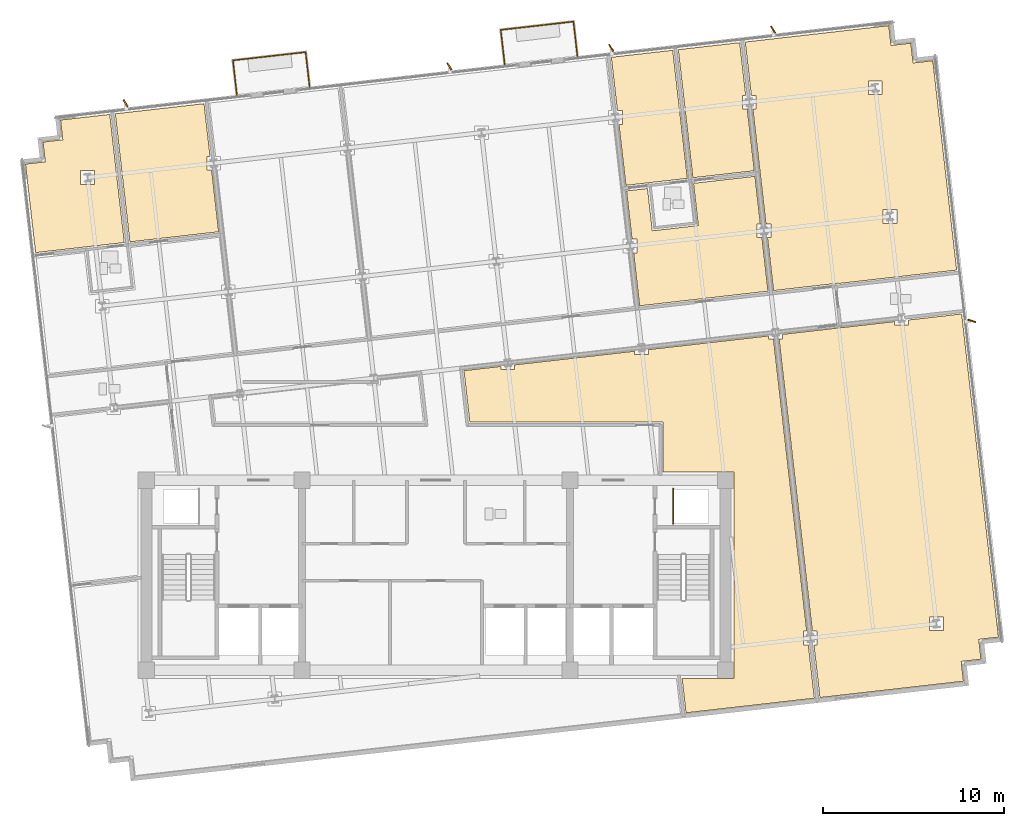
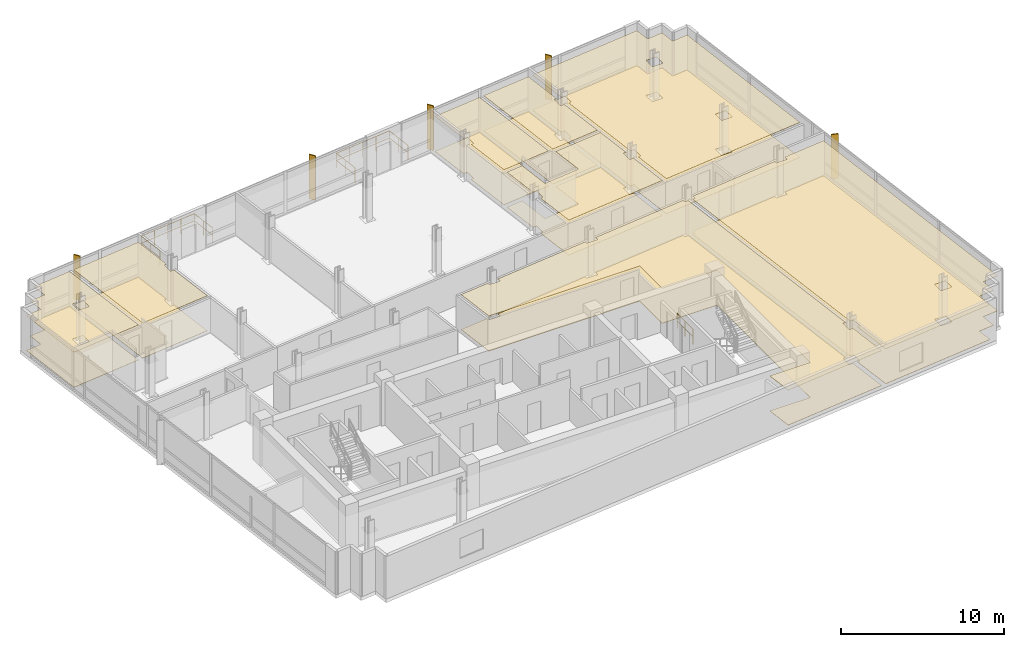
# One storey, part 14 of 15: 16 coverings, 7 railings, 5 shading devices.
"""IFC4 building model written with IfcOpenShell, lengths in metres."""

from ifc_helpers import new_model, si_unit, direction, frame, origin, origin_2d, place, context, subcontext, project, spatial, polyline, rectangle, circle, outline, extrude, material, layer, layer_set, type_object, element, save


model = new_model("IFC4")

# Units and contexts
model_context = context("Model", 3, precision=1e-05, world=origin(), true_north=direction((0.0, 1.0)))
body_context = subcontext(model_context, "Body", "Model", "MODEL_VIEW")
ifc_project = project(units=[si_unit("LENGTHUNIT", "METRE"), si_unit("AREAUNIT", "SQUARE_METRE"), si_unit("VOLUMEUNIT", "CUBIC_METRE"), si_unit("PLANEANGLEUNIT", "RADIAN"), si_unit("MASSUNIT", "GRAM", prefix="KILO")], contexts=[model_context])

# Site, building, storey
site_placement = place(None, origin())
site = spatial("IfcSite", under=ifc_project, at=site_placement, CompositionType="ELEMENT")
building_placement = place(site_placement, origin())
building = spatial("IfcBuilding", under=site, at=building_placement, Name="Solmavex Isthmus Hotel", CompositionType="ELEMENT")
storey_placement = place(building_placement, frame((0.0, 0.0, 229.64990234375)))
storey = spatial("IfcBuildingStorey", under=building, at=storey_placement, Name="L62", CompositionType="ELEMENT", Elevation=229.64990234375)

# Coverings
ifc_material_1 = material(Name="Gypsum plasterboard lining", Category="gypsum")
ifc_layer_1 = layer(ifc_material_1, 0.030029296875)
ifc_layer_set_1 = layer_set([ifc_layer_1], Name="Gypsum plasterboard lining")
covering_type_1 = type_object("IfcCoveringType", Name="COV-CEIL-GYP", PredefinedType="CEILING", material=ifc_layer_set_1)
covering_1_placement = place(storey_placement, frame((0.0, 0.0, 2.6201171875)))
element("IfcCovering", 1, at=covering_1_placement, inside=storey, type_object=covering_type_1, Name="Suspended Acoustic Ceiling L62-TB01", PredefinedType="CEILING", context=body_context, shape_type="SweptSolid", body=[
    extrude(outline(polyline([(-22.677001953125, 14.966552734375), (-22.58349609375, 14.146728515625), (-22.11962890625, 10.076171875), (-17.217529296875, 10.634521484375), (-18.023681640625, 17.7109375), (-19.92041015625, 17.49462890625), (-20.740234375, 17.4013671875), (-20.615478515625, 16.308349609375), (-21.70849609375, 16.183837890625), (-21.583984375, 15.091064453125), (-22.677001953125, 14.966552734375)]), holes=[polyline([(-19.6259765625, 13.844970703125), (-19.6259765625, 14.60498046875), (-18.865966796875, 14.60498046875), (-18.865966796875, 13.844970703125), (-19.6259765625, 13.844970703125)])]), origin(), (0.0, 0.0, 1.0), 0.030029296875),
])
covering_2_placement = place(storey_placement, frame((0.0, 0.0, 2.6201171875)))
element("IfcCovering", 2, at=covering_2_placement, inside=storey, type_object=covering_type_1, Name="Suspended Acoustic Ceiling L62-TL01", PredefinedType="CEILING", context=body_context, shape_type="SweptSolid", body=[
    extrude(outline(polyline([(-12.395751953125, 14.638427734375), (-12.6630859375, 14.638427734375), (-12.6630859375, 15.3984375), (-12.482421875, 15.3984375), (-12.8134765625, 18.304443359375), (-17.715576171875, 17.745849609375), (-16.909423828125, 10.669677734375), (-12.007080078125, 11.228271484375), (-12.395751953125, 14.638427734375)])), origin(), (0.0, 0.0, 1.0), 0.030029296875),
])
covering_3_placement = place(storey_placement, frame((0.0, 0.0, 2.6201171875)))
element("IfcCovering", 3, at=covering_3_placement, inside=storey, type_object=covering_type_1, Name="Suspended Acoustic Ceiling L62-ST04-FY", PredefinedType="CEILING", context=body_context, shape_type="SweptSolid", body=[
    extrude(outline(polyline([(11.685791015625, 13.61572265625), (10.5302734375, 13.484130859375), (10.833740234375, 10.821044921875), (11.10107421875, 10.821044921875), (11.10107421875, 10.06103515625), (10.92041015625, 10.06103515625), (11.25341796875, 7.13720703125), (18.343505859375, 7.945068359375), (18.006591796875, 10.904052734375), (17.7392578125, 10.904052734375), (17.7392578125, 11.6640625), (17.919921875, 11.6640625), (17.620361328125, 14.2919921875), (14.2294921875, 13.905517578125), (14.495361328125, 11.570556640625), (11.951904296875, 11.28076171875), (11.685791015625, 13.61572265625)])), origin(), (0.0, 0.0, 1.0), 0.030029296875),
])
covering_4_placement = place(storey_placement, frame((0.0, 0.0, 2.6201171875)))
element("IfcCovering", 4, at=covering_4_placement, inside=storey, type_object=covering_type_1, Name="Suspended Acoustic Ceiling L62-TB04", PredefinedType="CEILING", context=body_context, shape_type="SweptSolid", body=[
    extrude(outline(polyline([(10.024169921875, 17.92724609375), (10.29150390625, 17.92724609375), (10.29150390625, 17.167236328125), (10.110595703125, 17.167236328125), (10.495361328125, 13.7919921875), (13.88623046875, 14.178466796875), (13.080078125, 21.254638671875), (9.68896484375, 20.868408203125), (10.024169921875, 17.92724609375)])), origin(), (0.0, 0.0, 1.0), 0.030029296875),
])
covering_5_placement = place(storey_placement, frame((0.0, 0.0, 2.6201171875)))
element("IfcCovering", 5, at=covering_5_placement, inside=storey, type_object=covering_type_1, Name="Suspended Acoustic Ceiling L62-TL04", PredefinedType="CEILING", context=body_context, shape_type="SweptSolid", body=[
    extrude(outline(polyline([(17.19677734375, 18.010009765625), (16.929443359375, 18.010009765625), (16.929443359375, 18.77001953125), (17.1103515625, 18.77001953125), (16.779052734375, 21.676025390625), (13.38818359375, 21.289794921875), (14.1943359375, 14.213623046875), (17.58544921875, 14.599853515625), (17.19677734375, 18.010009765625)])), origin(), (0.0, 0.0, 1.0), 0.030029296875),
])
covering_6_placement = place(storey_placement, frame((0.0, 0.0, 2.6201171875)))
element("IfcCovering", 6, at=covering_6_placement, inside=storey, type_object=covering_type_1, Name="Suspended Acoustic Ceiling L62-RM05", PredefinedType="CEILING", context=body_context, shape_type="SweptSolid", body=[
    extrude(outline(polyline([(18.23193359375, 11.6640625), (18.499267578125, 11.6640625), (18.499267578125, 10.904052734375), (18.318359375, 10.904052734375), (18.651611328125, 7.97998046875), (22.228515625, 8.3876953125), (22.230712890625, 8.36767578125), (28.766357421875, 9.1123046875), (27.542236328125, 19.85791015625), (27.44873046875, 20.677490234375), (26.35595703125, 20.552978515625), (26.231201171875, 21.64599609375), (25.138427734375, 21.521484375), (25.013916015625, 22.6142578125), (24.194091796875, 22.52099609375), (17.087158203125, 21.711181640625), (17.42236328125, 18.77001953125), (17.689453125, 18.77001953125), (17.689453125, 18.010009765625), (17.5087890625, 18.010009765625), (18.17626953125, 12.15185546875), (18.23193359375, 11.6640625)]), holes=[polyline([(24.7021484375, 11.697265625), (24.7021484375, 12.457275390625), (25.462158203125, 12.457275390625), (25.462158203125, 11.697265625), (24.7021484375, 11.697265625)]), polyline([(23.892578125, 19.5634765625), (24.652587890625, 19.5634765625), (24.652587890625, 18.803466796875), (23.892578125, 18.803466796875), (23.892578125, 19.5634765625)])]), origin(), (0.0, 0.0, 1.0), 0.030029296875),
])
covering_7_placement = place(storey_placement, frame((0.0, 0.0, 2.6201171875)))
element("IfcCovering", 7, at=covering_7_placement, inside=storey, type_object=covering_type_1, Name="Suspended Acoustic Ceiling L62-FL11", PredefinedType="CEILING", context=body_context, shape_type="SweptSolid", body=[
    extrude(outline(polyline([(4.34228515625, 3.873779296875), (4.34228515625, 3.6064453125), (3.582275390625, 3.6064453125), (3.582275390625, 3.787109375), (1.547607421875, 3.555419921875), (1.872314453125, 0.705078125), (12.554931640625, 0.705078125), (12.554931640625, -2.044921875), (16.455078125, -2.044921875), (16.455078125, -13.455078125), (13.599609375, -13.455078125), (13.815185546875, -15.347412109375), (20.905517578125, -14.53955078125), (20.5703125, -11.598388671875), (20.302978515625, -11.598388671875), (20.302978515625, -10.83837890625), (20.483642578125, -10.83837890625), (18.645751953125, 5.292236328125), (18.378662109375, 5.292236328125), (18.378662109375, 5.472900390625), (11.740478515625, 4.716796875), (11.740478515625, 4.449462890625), (10.98046875, 4.449462890625), (10.98046875, 4.630126953125), (4.34228515625, 3.873779296875)])), origin(), (0.0, 0.0, 1.0), 0.030029296875),
])
covering_8_placement = place(storey_placement, frame((0.0, 0.0, 2.6201171875)))
element("IfcCovering", 8, at=covering_8_placement, inside=storey, type_object=covering_type_1, Name="Suspended Acoustic Ceiling L62-FL12", PredefinedType="CEILING", context=body_context, shape_type="SweptSolid", body=[
    extrude(outline(polyline([(20.795654296875, -10.83837890625), (21.06298828125, -10.83837890625), (21.06298828125, -11.598388671875), (20.88232421875, -11.598388671875), (21.21337890625, -14.50439453125), (28.3203125, -13.69482421875), (29.14013671875, -13.601318359375), (29.015625, -12.50830078125), (30.108642578125, -12.3837890625), (29.98388671875, -11.291015625), (31.076904296875, -11.16650390625), (30.983642578125, -10.3466796875), (29.042724609375, 6.68798828125), (26.1015625, 6.35302734375), (26.1015625, 6.085693359375), (25.341552734375, 6.085693359375), (25.341552734375, 6.266357421875), (19.138427734375, 5.5595703125), (19.138427734375, 5.292236328125), (18.957763671875, 5.292236328125), (20.795654296875, -10.83837890625)]), holes=[polyline([(27.265869140625, -10.80517578125), (27.265869140625, -10.045166015625), (28.02587890625, -10.045166015625), (28.02587890625, -10.80517578125), (27.265869140625, -10.80517578125)])]), origin(), (0.0, 0.0, 1.0), 0.030029296875),
])
ifc_material_2 = material(Name="Travertine natural stone", Category="masonry")
ifc_layer_2 = layer(ifc_material_2, 0.02490234375)
ifc_layer_set_2 = layer_set([ifc_layer_2], Name="Travertine natural stone")
covering_type_2 = type_object("IfcCoveringType", Name="COV-FLOR-STN", PredefinedType="FLOORING", material=ifc_layer_set_2)
covering_9_placement = place(storey_placement, origin())
element("IfcCovering", 9, at=covering_9_placement, inside=storey, type_object=covering_type_2, Name="Stone and Timber Floor Finish L62-TB01", PredefinedType="FLOORING", context=body_context, shape_type="SweptSolid", body=[
    extrude(outline(polyline([(-22.677001953125, 14.966552734375), (-22.58349609375, 14.146728515625), (-22.11962890625, 10.076171875), (-17.217529296875, 10.634521484375), (-18.023681640625, 17.7109375), (-19.92041015625, 17.49462890625), (-20.740234375, 17.4013671875), (-20.615478515625, 16.308349609375), (-21.70849609375, 16.183837890625), (-21.583984375, 15.091064453125), (-22.677001953125, 14.966552734375)]), holes=[polyline([(-19.6259765625, 13.844970703125), (-19.6259765625, 14.60498046875), (-18.865966796875, 14.60498046875), (-18.865966796875, 13.844970703125), (-19.6259765625, 13.844970703125)])]), origin(), (0.0, 0.0, 1.0), 0.025146484375),
])
covering_10_placement = place(storey_placement, origin())
element("IfcCovering", 10, at=covering_10_placement, inside=storey, type_object=covering_type_2, Name="Stone and Timber Floor Finish L62-TL01", PredefinedType="FLOORING", context=body_context, shape_type="SweptSolid", body=[
    extrude(outline(polyline([(-12.395751953125, 14.638427734375), (-12.6630859375, 14.638427734375), (-12.6630859375, 15.3984375), (-12.482421875, 15.3984375), (-12.8134765625, 18.304443359375), (-17.715576171875, 17.745849609375), (-16.909423828125, 10.669677734375), (-12.007080078125, 11.228271484375), (-12.395751953125, 14.638427734375)])), origin(), (0.0, 0.0, 1.0), 0.025146484375),
])
covering_11_placement = place(storey_placement, origin())
element("IfcCovering", 11, at=covering_11_placement, inside=storey, type_object=covering_type_2, Name="Stone and Timber Floor Finish L62-ST04-FY", PredefinedType="FLOORING", context=body_context, shape_type="SweptSolid", body=[
    extrude(outline(polyline([(11.685791015625, 13.61572265625), (10.5302734375, 13.484130859375), (10.833740234375, 10.821044921875), (11.10107421875, 10.821044921875), (11.10107421875, 10.06103515625), (10.92041015625, 10.06103515625), (11.25341796875, 7.13720703125), (18.343505859375, 7.945068359375), (18.006591796875, 10.904052734375), (17.7392578125, 10.904052734375), (17.7392578125, 11.6640625), (17.919921875, 11.6640625), (17.620361328125, 14.2919921875), (14.2294921875, 13.905517578125), (14.495361328125, 11.570556640625), (11.951904296875, 11.28076171875), (11.685791015625, 13.61572265625)])), origin(), (0.0, 0.0, 1.0), 0.025146484375),
])
covering_12_placement = place(storey_placement, origin())
element("IfcCovering", 12, at=covering_12_placement, inside=storey, type_object=covering_type_2, Name="Stone and Timber Floor Finish L62-TB04", PredefinedType="FLOORING", context=body_context, shape_type="SweptSolid", body=[
    extrude(outline(polyline([(10.024169921875, 17.92724609375), (10.29150390625, 17.92724609375), (10.29150390625, 17.167236328125), (10.110595703125, 17.167236328125), (10.495361328125, 13.7919921875), (13.88623046875, 14.178466796875), (13.080078125, 21.254638671875), (9.68896484375, 20.868408203125), (10.024169921875, 17.92724609375)])), origin(), (0.0, 0.0, 1.0), 0.025146484375),
])
covering_13_placement = place(storey_placement, origin())
element("IfcCovering", 13, at=covering_13_placement, inside=storey, type_object=covering_type_2, Name="Stone and Timber Floor Finish L62-TL04", PredefinedType="FLOORING", context=body_context, shape_type="SweptSolid", body=[
    extrude(outline(polyline([(17.19677734375, 18.010009765625), (16.929443359375, 18.010009765625), (16.929443359375, 18.77001953125), (17.1103515625, 18.77001953125), (16.779052734375, 21.676025390625), (13.38818359375, 21.289794921875), (14.1943359375, 14.213623046875), (17.58544921875, 14.599853515625), (17.19677734375, 18.010009765625)])), origin(), (0.0, 0.0, 1.0), 0.025146484375),
])
covering_14_placement = place(storey_placement, origin())
element("IfcCovering", 14, at=covering_14_placement, inside=storey, type_object=covering_type_2, Name="Stone and Timber Floor Finish L62-RM05", PredefinedType="FLOORING", context=body_context, shape_type="SweptSolid", body=[
    extrude(outline(polyline([(18.23193359375, 11.6640625), (18.499267578125, 11.6640625), (18.499267578125, 10.904052734375), (18.318359375, 10.904052734375), (18.651611328125, 7.97998046875), (22.228515625, 8.3876953125), (22.230712890625, 8.36767578125), (28.766357421875, 9.1123046875), (27.542236328125, 19.85791015625), (27.44873046875, 20.677490234375), (26.35595703125, 20.552978515625), (26.231201171875, 21.64599609375), (25.138427734375, 21.521484375), (25.013916015625, 22.6142578125), (24.194091796875, 22.52099609375), (17.087158203125, 21.711181640625), (17.42236328125, 18.77001953125), (17.689453125, 18.77001953125), (17.689453125, 18.010009765625), (17.5087890625, 18.010009765625), (18.17626953125, 12.15185546875), (18.23193359375, 11.6640625)]), holes=[polyline([(24.7021484375, 11.697265625), (24.7021484375, 12.457275390625), (25.462158203125, 12.457275390625), (25.462158203125, 11.697265625), (24.7021484375, 11.697265625)]), polyline([(23.892578125, 19.5634765625), (24.652587890625, 19.5634765625), (24.652587890625, 18.803466796875), (23.892578125, 18.803466796875), (23.892578125, 19.5634765625)])]), origin(), (0.0, 0.0, 1.0), 0.025146484375),
])
covering_15_placement = place(storey_placement, origin())
element("IfcCovering", 15, at=covering_15_placement, inside=storey, type_object=covering_type_2, Name="Stone and Timber Floor Finish L62-FL11", PredefinedType="FLOORING", context=body_context, shape_type="SweptSolid", body=[
    extrude(outline(polyline([(4.34228515625, 3.873779296875), (4.34228515625, 3.6064453125), (3.582275390625, 3.6064453125), (3.582275390625, 3.787109375), (1.547607421875, 3.555419921875), (1.872314453125, 0.705078125), (12.554931640625, 0.705078125), (12.554931640625, -2.044921875), (16.455078125, -2.044921875), (16.455078125, -13.455078125), (13.599609375, -13.455078125), (13.815185546875, -15.347412109375), (20.905517578125, -14.53955078125), (20.5703125, -11.598388671875), (20.302978515625, -11.598388671875), (20.302978515625, -10.83837890625), (20.483642578125, -10.83837890625), (18.645751953125, 5.292236328125), (18.378662109375, 5.292236328125), (18.378662109375, 5.472900390625), (11.740478515625, 4.716796875), (11.740478515625, 4.449462890625), (10.98046875, 4.449462890625), (10.98046875, 4.630126953125), (4.34228515625, 3.873779296875)])), origin(), (0.0, 0.0, 1.0), 0.025146484375),
])
covering_16_placement = place(storey_placement, origin())
element("IfcCovering", 16, at=covering_16_placement, inside=storey, type_object=covering_type_2, Name="Stone and Timber Floor Finish L62-FL12", PredefinedType="FLOORING", context=body_context, shape_type="SweptSolid", body=[
    extrude(outline(polyline([(20.795654296875, -10.83837890625), (21.06298828125, -10.83837890625), (21.06298828125, -11.598388671875), (20.88232421875, -11.598388671875), (21.21337890625, -14.50439453125), (28.3203125, -13.69482421875), (29.14013671875, -13.601318359375), (29.015625, -12.50830078125), (30.108642578125, -12.3837890625), (29.98388671875, -11.291015625), (31.076904296875, -11.16650390625), (30.983642578125, -10.3466796875), (29.042724609375, 6.68798828125), (26.1015625, 6.35302734375), (26.1015625, 6.085693359375), (25.341552734375, 6.085693359375), (25.341552734375, 6.266357421875), (19.138427734375, 5.5595703125), (19.138427734375, 5.292236328125), (18.957763671875, 5.292236328125), (20.795654296875, -10.83837890625)]), holes=[polyline([(27.265869140625, -10.80517578125), (27.265869140625, -10.045166015625), (28.02587890625, -10.045166015625), (28.02587890625, -10.80517578125), (27.265869140625, -10.80517578125)])]), origin(), (0.0, 0.0, 1.0), 0.025146484375),
])

# Railings
ifc_material_3 = material(Name="Clear low-E laminated glass", Category="glass")
ifc_layer_3 = layer(ifc_material_3, 0.080078125)
ifc_layer_set_3 = layer_set([ifc_layer_3], Name="Clear low-E laminated glass")
railing_type_1 = type_object("IfcRailingType", Name="RAIL-ATRIUM-1120", PredefinedType="BALUSTRADE", material=ifc_layer_set_3)
railing_1_placement = place(storey_placement, frame((13.10009765625, -4.89990234375, 0.0)))
element("IfcRailing", 17, at=railing_1_placement, inside=storey, type_object=railing_type_1, Name="Guardrail Balustrade L62-RSE-01", PredefinedType="BALUSTRADE", context=body_context, shape_type="SweptSolid", body=[
    extrude(circle(Radius=0.02392578125, at=origin_2d()), frame((0.0, 0.0, 1.1259765625), z_axis=(0.0, 1.0, 0.0), x_axis=(-1.0, 0.0, 0.0)), (0.0, 0.0, 1.0), 1.949951171875),
    extrude(circle(Radius=0.02392578125, at=origin_2d()), frame((0.0, 0.0, 0.574951171875), z_axis=(0.0, 1.0, 0.0), x_axis=(-1.0, 0.0, 0.0)), (0.0, 0.0, 1.0), 1.949951171875),
    extrude(circle(Radius=0.02099609375, at=origin_2d()), origin(), (0.0, 0.0, 1.0), 1.101806640625),
    extrude(circle(Radius=0.02099609375, at=origin_2d()), frame((0.0, 0.97509765625, 0.0)), (0.0, 0.0, 1.0), 1.101806640625),
    extrude(circle(Radius=0.02099609375, at=origin_2d()), frame((0.0, 1.949951171875, 0.0)), (0.0, 0.0, 1.0), 1.101806640625),
])
ifc_layer_4 = layer(ifc_material_3, 0.070068359375)
ifc_layer_set_4 = layer_set([ifc_layer_4], Name="Clear low-E laminated glass")
railing_type_2 = type_object("IfcRailingType", Name="RAIL-GUARD-1100", PredefinedType="BALUSTRADE", material=ifc_layer_set_4)
railing_2_placement = place(storey_placement, frame((-10.99853515625, 18.7880859375, 0.0)))
element("IfcRailing", 18, at=railing_2_placement, inside=storey, type_object=railing_type_2, Name="Guardrail Balustrade L62-BAL1-01", PredefinedType="BALUSTRADE", context=body_context, shape_type="SweptSolid", body=[
    extrude(circle(Radius=0.02392578125, at=origin_2d()), frame((0.0, 0.0, 1.09619140625), z_axis=(-0.113166454875, 0.993576043135, 0.0), x_axis=(-0.993576043135, -0.113166454875, 0.0)), (0.0, 0.0, 1.0), 1.920166015625),
    extrude(circle(Radius=0.02392578125, at=origin_2d()), frame((0.0, 0.0, 0.56005859375), z_axis=(-0.113166454875, 0.993576043135, 0.0), x_axis=(-0.993576043135, -0.113166454875, 0.0)), (0.0, 0.0, 1.0), 1.920166015625),
    extrude(circle(Radius=0.02099609375, at=origin_2d()), origin(), (0.0, 0.0, 1.0), 1.072021484375),
    extrude(circle(Radius=0.02099609375, at=origin_2d()), frame((-0.108642578125, 0.953857421875, 0.0)), (0.0, 0.0, 1.0), 1.072021484375),
    extrude(circle(Radius=0.02099609375, at=origin_2d()), frame((-0.21728515625, 1.90771484375, 0.0)), (0.0, 0.0, 1.0), 1.072021484375),
])
railing_3_placement = place(storey_placement, frame((-11.2158203125, 20.69580078125, 0.0)))
element("IfcRailing", 19, at=railing_3_placement, inside=storey, type_object=railing_type_2, Name="Guardrail Balustrade L62-BAL1-02", PredefinedType="BALUSTRADE", context=body_context, shape_type="SweptSolid", body=[
    extrude(circle(Radius=0.02392578125, at=origin_2d()), frame((0.0, 0.0, 1.09619140625), z_axis=(0.993573319275, 0.113190367192, 0.0), x_axis=(-0.113190367192, 0.993573319275, 0.0)), (0.0, 0.0, 1.0), 4.039794921875),
    extrude(circle(Radius=0.02392578125, at=origin_2d()), frame((0.0, 0.0, 0.56005859375), z_axis=(0.993573319275, 0.113190367192, 0.0), x_axis=(-0.113190367192, 0.993573319275, 0.0)), (0.0, 0.0, 1.0), 4.039794921875),
    extrude(circle(Radius=0.02099609375, at=origin_2d()), origin(), (0.0, 0.0, 1.0), 1.072021484375),
    extrude(circle(Radius=0.02099609375, at=origin_2d()), frame((1.00341796875, 0.1142578125, 0.0)), (0.0, 0.0, 1.0), 1.072021484375),
    extrude(circle(Radius=0.02099609375, at=origin_2d()), frame((2.0068359375, 0.228515625, 0.0)), (0.0, 0.0, 1.0), 1.072021484375),
    extrude(circle(Radius=0.02099609375, at=origin_2d()), frame((3.010498046875, 0.343017578125, 0.0)), (0.0, 0.0, 1.0), 1.072021484375),
    extrude(circle(Radius=0.02099609375, at=origin_2d()), frame((4.013916015625, 0.457275390625, 0.0)), (0.0, 0.0, 1.0), 1.072021484375),
])
railing_4_placement = place(storey_placement, frame((-7.201904296875, 21.153076171875, 0.0)))
element("IfcRailing", 20, at=railing_4_placement, inside=storey, type_object=railing_type_2, Name="Guardrail Balustrade L62-BAL1-03", PredefinedType="BALUSTRADE", context=body_context, shape_type="SweptSolid", body=[
    extrude(circle(Radius=0.02392578125, at=origin_2d()), frame((0.0, 0.0, 1.09619140625), z_axis=(0.113291977077, -0.993561738359, 0.0), x_axis=(0.993561738359, 0.113291977077, 0.0)), (0.0, 0.0, 1.0), 1.920166015625),
    extrude(circle(Radius=0.02392578125, at=origin_2d()), frame((0.0, 0.0, 0.56005859375), z_axis=(0.113291977077, -0.993561738359, 0.0), x_axis=(0.993561738359, 0.113291977077, 0.0)), (0.0, 0.0, 1.0), 1.920166015625),
    extrude(circle(Radius=0.02099609375, at=origin_2d()), origin(), (0.0, 0.0, 1.0), 1.072021484375),
    extrude(circle(Radius=0.02099609375, at=origin_2d()), frame((0.10888671875, -0.953857421875, 0.0)), (0.0, 0.0, 1.0), 1.072021484375),
    extrude(circle(Radius=0.02099609375, at=origin_2d()), frame((0.217529296875, -1.90771484375, 0.0)), (0.0, 0.0, 1.0), 1.072021484375),
])
railing_5_placement = place(storey_placement, frame((3.7978515625, 20.473876953125, 0.0)))
element("IfcRailing", 21, at=railing_5_placement, inside=storey, type_object=railing_type_2, Name="Guardrail Balustrade L62-BAL2-01", PredefinedType="BALUSTRADE", context=body_context, shape_type="SweptSolid", body=[
    extrude(circle(Radius=0.02392578125, at=origin_2d()), frame((0.0, 0.0, 1.09619140625), z_axis=(-0.113291977077, 0.993561738359, 0.0), x_axis=(-0.993561738359, -0.113291977077, 0.0)), (0.0, 0.0, 1.0), 1.920166015625),
    extrude(circle(Radius=0.02392578125, at=origin_2d()), frame((0.0, 0.0, 0.56005859375), z_axis=(-0.113291977077, 0.993561738359, 0.0), x_axis=(-0.993561738359, -0.113291977077, 0.0)), (0.0, 0.0, 1.0), 1.920166015625),
    extrude(circle(Radius=0.02099609375, at=origin_2d()), origin(), (0.0, 0.0, 1.0), 1.072021484375),
    extrude(circle(Radius=0.02099609375, at=origin_2d()), frame((-0.10888671875, 0.953857421875, 0.0)), (0.0, 0.0, 1.0), 1.072021484375),
    extrude(circle(Radius=0.02099609375, at=origin_2d()), frame((-0.217529296875, 1.90771484375, 0.0)), (0.0, 0.0, 1.0), 1.072021484375),
])
railing_6_placement = place(storey_placement, frame((3.580322265625, 22.381591796875, 0.0)))
element("IfcRailing", 22, at=railing_6_placement, inside=storey, type_object=railing_type_2, Name="Guardrail Balustrade L62-BAL2-02", PredefinedType="BALUSTRADE", context=body_context, shape_type="SweptSolid", body=[
    extrude(circle(Radius=0.02392578125, at=origin_2d()), frame((0.0, 0.0, 1.09619140625), z_axis=(0.993574093472, 0.113183571164, 0.0), x_axis=(-0.113183571164, 0.993574093472, 0.0)), (0.0, 0.0, 1.0), 4.0400390625),
    extrude(circle(Radius=0.02392578125, at=origin_2d()), frame((0.0, 0.0, 0.56005859375), z_axis=(0.993574093472, 0.113183571164, 0.0), x_axis=(-0.113183571164, 0.993574093472, 0.0)), (0.0, 0.0, 1.0), 4.0400390625),
    extrude(circle(Radius=0.02099609375, at=origin_2d()), origin(), (0.0, 0.0, 1.0), 1.072021484375),
    extrude(circle(Radius=0.02099609375, at=origin_2d()), frame((1.00341796875, 0.1142578125, 0.0)), (0.0, 0.0, 1.0), 1.072021484375),
    extrude(circle(Radius=0.02099609375, at=origin_2d()), frame((2.007080078125, 0.228515625, 0.0)), (0.0, 0.0, 1.0), 1.072021484375),
    extrude(circle(Radius=0.02099609375, at=origin_2d()), frame((3.0107421875, 0.343017578125, 0.0)), (0.0, 0.0, 1.0), 1.072021484375),
    extrude(circle(Radius=0.02099609375, at=origin_2d()), frame((4.01416015625, 0.457275390625, 0.0)), (0.0, 0.0, 1.0), 1.072021484375),
])
railing_7_placement = place(storey_placement, frame((7.594482421875, 22.8388671875, 0.0)))
element("IfcRailing", 23, at=railing_7_placement, inside=storey, type_object=railing_type_2, Name="Guardrail Balustrade L62-BAL2-03", PredefinedType="BALUSTRADE", context=body_context, shape_type="SweptSolid", body=[
    extrude(circle(Radius=0.02392578125, at=origin_2d()), frame((0.0, 0.0, 1.09619140625), z_axis=(0.113166454875, -0.993576043135, 0.0), x_axis=(0.993576043135, 0.113166454875, 0.0)), (0.0, 0.0, 1.0), 1.920166015625),
    extrude(circle(Radius=0.02392578125, at=origin_2d()), frame((0.0, 0.0, 0.56005859375), z_axis=(0.113166454875, -0.993576043135, 0.0), x_axis=(0.993576043135, 0.113166454875, 0.0)), (0.0, 0.0, 1.0), 1.920166015625),
    extrude(circle(Radius=0.02099609375, at=origin_2d()), origin(), (0.0, 0.0, 1.0), 1.072021484375),
    extrude(circle(Radius=0.02099609375, at=origin_2d()), frame((0.108642578125, -0.953857421875, 0.0)), (0.0, 0.0, 1.0), 1.072021484375),
    extrude(circle(Radius=0.02099609375, at=origin_2d()), frame((0.21728515625, -1.90771484375, 0.0)), (0.0, 0.0, 1.0), 1.072021484375),
])

# Shading devices
ifc_material_4 = material(Name="Aluminium alloy 6063-T6", Category="aluminium")
shading_device_type = type_object("IfcShadingDeviceType", Name="SHD-FIN-BRONZE", PredefinedType="USERDEFINED", material=ifc_material_4)
for number, where, z_axis, x_axis, name in (
    (24, (-17.14697265625, 18.3291015625, -0.139892578125), (0.0, 0.0, 1.0), (-0.537299608347, 0.843391445813, 0.0), "Anodised Aluminium Solar Fin L62-N1"),
    (25, (0.7373046875, 20.36669921875, -0.139892578125), (0.0, 0.0, 1.0), (-0.537299608347, 0.843391445813, 0.0), "Anodised Aluminium Solar Fin L62-N2"),
    (26, (9.679443359375, 21.385498046875, -0.139892578125), (0.0, 0.0, 1.0), (-0.537299608347, 0.843391445813, 0.0), "Anodised Aluminium Solar Fin L62-N3"),
    (27, (18.62158203125, 22.404296875, -0.139892578125), (0.0, 0.0, 1.0), (-0.537299608347, 0.843391445813, 0.0), "Anodised Aluminium Solar Fin L62-N4"),
    (28, (29.604736328125, 6.30419921875, -0.139892578125), (0.0, 0.0, 1.0), (0.953716950748, -0.300705799504, 0.0), "Anodised Aluminium Solar Fin L62-E1"),
):
    element("IfcShadingDevice", number, at=place(storey_placement, frame(where, z_axis=z_axis, x_axis=x_axis)), inside=storey, type_object=shading_device_type, Name=name, ObjectType="SOLAR_FIN", PredefinedType="USERDEFINED", context=body_context, shape_type="SweptSolid", body=[
        extrude(rectangle(XDim=0.449951171875, YDim=0.080078125, at=origin_2d()), origin(), (0.0, 0.0, 1.0), 3.330078125),
    ])

save(model, "model.ifc")
